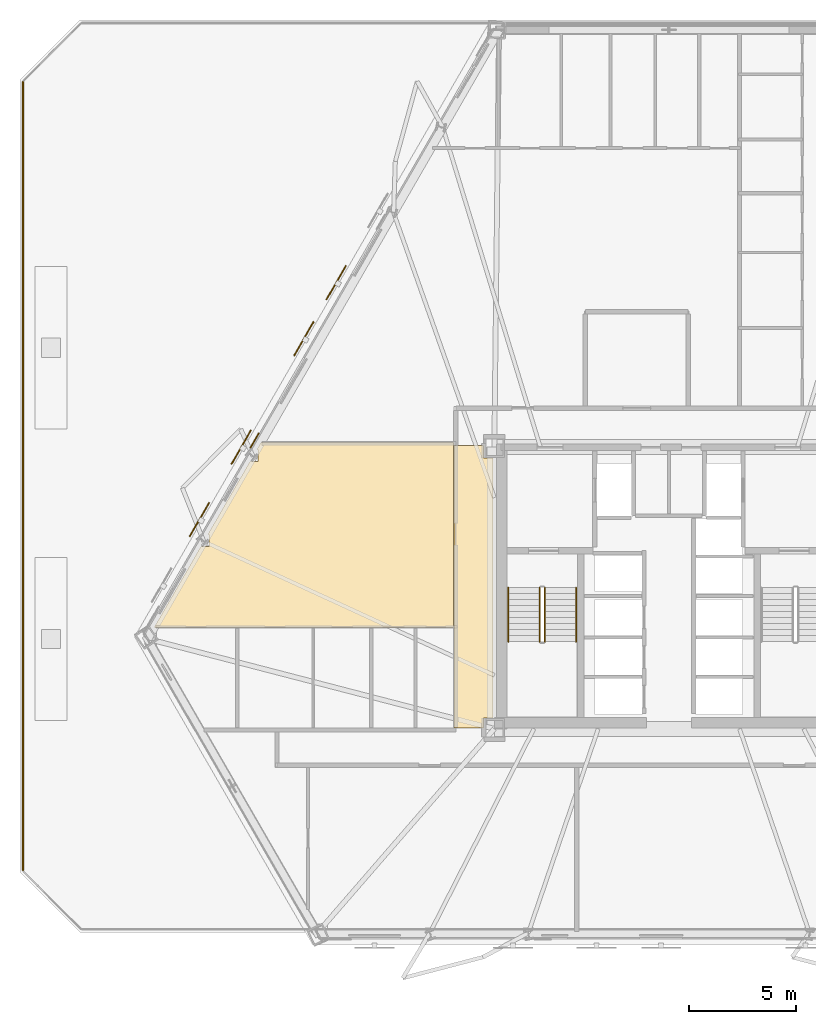
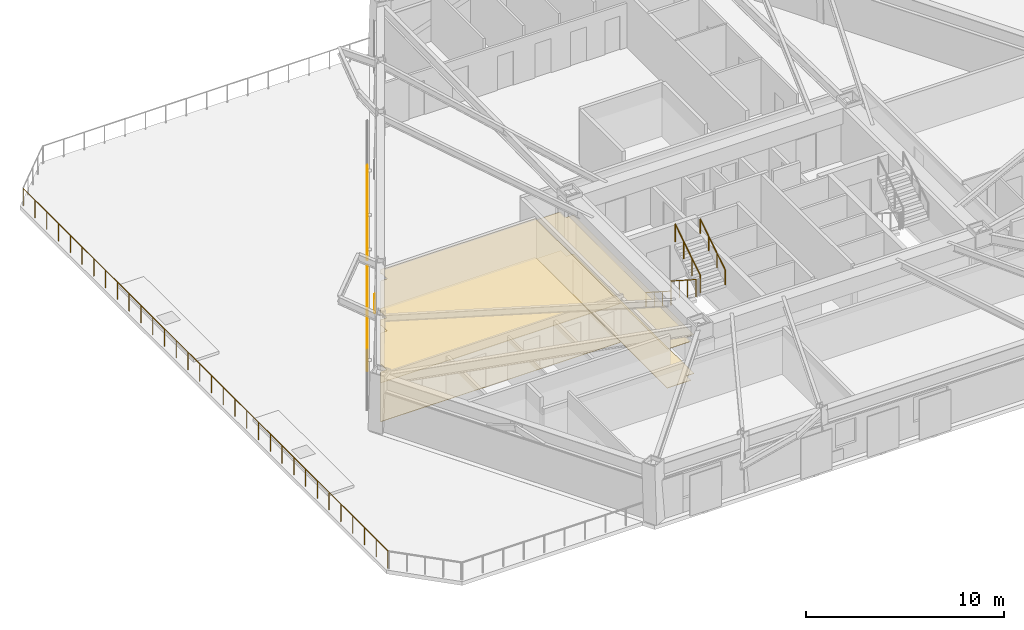
# One storey, part 9 of 14: 5 coverings, 5 railings, 4 shading devices.
"""IFC4 building model written with IfcOpenShell, lengths in metres."""

from ifc_helpers import new_model, si_unit, direction, frame, origin, origin_2d, place, context, subcontext, project, spatial, polyline, rectangle, circle, outline, extrude, material, layer, layer_set, type_object, element, save


model = new_model("IFC4")

# Units and contexts
model_context = context("Model", 3, precision=1e-05, world=origin(), true_north=direction((0.0, 1.0)))
body_context = subcontext(model_context, "Body", "Model", "MODEL_VIEW")
ifc_project = project(units=[si_unit("LENGTHUNIT", "METRE"), si_unit("AREAUNIT", "SQUARE_METRE"), si_unit("VOLUMEUNIT", "CUBIC_METRE"), si_unit("PLANEANGLEUNIT", "RADIAN"), si_unit("MASSUNIT", "GRAM", prefix="KILO")], contexts=[model_context])

# Site, building, storey
site_placement = place(None, origin())
site = spatial("IfcSite", under=ifc_project, at=site_placement, CompositionType="ELEMENT")
building_placement = place(site_placement, origin())
building = spatial("IfcBuilding", under=site, at=building_placement, Name="Oramaril Tower", CompositionType="ELEMENT")
storey_placement = place(building_placement, frame((0.0, 0.0, 27.300048828125)))
storey = spatial("IfcBuildingStorey", under=building, at=storey_placement, Name="L06", CompositionType="ELEMENT", Elevation=27.300048828125)

# Coverings
ifc_material_1 = material(Name="Mineral Fibre Acoustic Ceiling")
ifc_layer_1 = layer(ifc_material_1, 0.02001953125)
ifc_layer_set_1 = layer_set([ifc_layer_1], Name="CVT-CEIL")
covering_type_1 = type_object("IfcCoveringType", Name="CVT-CEIL", PredefinedType="CEILING", material=ifc_layer_set_1)
covering_1_placement = place(storey_placement, frame((0.0, 0.0, 2.39990234375)))
element("IfcCovering", 1, at=covering_1_placement, inside=storey, type_object=covering_type_1, Name="L06 Acoustic Suspended Ceiling 3", PredefinedType="CEILING", context=body_context, shape_type="SweptSolid", body=[
    extrude(outline(polyline([(28.85498046875, 23.655029296875), (29.280029296875, 23.655029296875), (29.280029296875, 11.4951171875), (28.85498046875, 11.4951171875), (28.85498046875, 11.050048828125), (27.469970703125, 11.050048828125), (27.469970703125, 24.219970703125), (28.85498046875, 24.219970703125), (28.85498046875, 23.655029296875)])), origin(), (0.0, 0.0, 1.0), 0.02001953125),
])
covering_2_placement = place(storey_placement, frame((0.0, 0.0, 2.39990234375)))
element("IfcCovering", 2, at=covering_2_placement, inside=storey, type_object=covering_type_1, Name="L06 Acoustic Suspended Ceiling 10", PredefinedType="CEILING", context=body_context, shape_type="SweptSolid", body=[
    extrude(outline(polyline([(13.45751953125, 15.72119140625), (15.64794921875, 19.514892578125), (16.01904296875, 19.514892578125), (16.01904296875, 20.0712890625), (15.968994140625, 20.0712890625), (17.945556640625, 23.494873046875), (18.31689453125, 23.494873046875), (18.31689453125, 24.0390625), (18.259765625, 24.0390625), (18.4462890625, 24.362060546875), (27.449951171875, 24.362060546875), (27.449951171875, 24.239990234375), (27.4501953125, 24.238037109375), (27.450439453125, 24.236083984375), (27.450927734375, 24.234130859375), (27.451416015625, 24.232421875), (27.452392578125, 24.230712890625), (27.45263671875, 24.22998046875), (27.452392578125, 24.2294921875), (27.451416015625, 24.227783203125), (27.450927734375, 24.225830078125), (27.450439453125, 24.223876953125), (27.4501953125, 24.221923828125), (27.449951171875, 24.219970703125), (27.449951171875, 15.72119140625), (13.45751953125, 15.72119140625)])), origin(), (0.0, 0.0, 1.0), 0.02001953125),
])
ifc_material_2 = material(Name="Warm Cream Limestone", Category="masonry")
ifc_layer_2 = layer(ifc_material_2, 0.050048828125)
ifc_layer_set_2 = layer_set([ifc_layer_2], Name="CVT-CLD")
covering_type_2 = type_object("IfcCoveringType", Name="CVT-CLD", PredefinedType="CLADDING", material=ifc_layer_set_2)
covering_3_placement = place(storey_placement, frame((18.158447265625, 24.46533203125, 0.0400390625), z_axis=(0.0, 0.0, 1.0), x_axis=(-0.5, -0.866025403784, 0.0)))
element("IfcCovering", 3, at=covering_3_placement, inside=storey, type_object=covering_type_2, Name="L06 Warm Cream Limestone Spandrel Cladding", PredefinedType="CLADDING", context=body_context, shape_type="SweptSolid", body=[
    extrude(rectangle(XDim=0.800048828125, YDim=0.050048828125, at=origin_2d()), origin(), (0.0, 0.0, 1.0), 0.679931640625),
])
ifc_material_3 = material(Name="Honed Quartzite Stone Flooring", Category="masonry")
ifc_layer_3 = layer(ifc_material_3, 0.02490234375)
ifc_layer_set_3 = layer_set([ifc_layer_3], Name="CVT-FLR")
covering_type_3 = type_object("IfcCoveringType", Name="CVT-FLR", PredefinedType="FLOORING", material=ifc_layer_set_3)
covering_4_placement = place(storey_placement, origin())
element("IfcCovering", 4, at=covering_4_placement, inside=storey, type_object=covering_type_3, Name="L06 Honed Stone Floor Finish 3", PredefinedType="FLOORING", context=body_context, shape_type="SweptSolid", body=[
    extrude(outline(polyline([(28.85498046875, 23.655029296875), (29.280029296875, 23.655029296875), (29.280029296875, 11.4951171875), (28.85498046875, 11.4951171875), (28.85498046875, 11.050048828125), (27.469970703125, 11.050048828125), (27.469970703125, 24.219970703125), (28.85498046875, 24.219970703125), (28.85498046875, 23.655029296875)])), origin(), (0.0, 0.0, 1.0), 0.02490234375),
])
covering_5_placement = place(storey_placement, origin())
element("IfcCovering", 5, at=covering_5_placement, inside=storey, type_object=covering_type_3, Name="L06 Honed Stone Floor Finish 10", PredefinedType="FLOORING", context=body_context, shape_type="SweptSolid", body=[
    extrude(outline(polyline([(13.45751953125, 15.72119140625), (15.64794921875, 19.514892578125), (16.01904296875, 19.514892578125), (16.01904296875, 20.0712890625), (15.968994140625, 20.0712890625), (17.945556640625, 23.494873046875), (18.31689453125, 23.494873046875), (18.31689453125, 24.0390625), (18.259765625, 24.0390625), (18.4462890625, 24.362060546875), (27.449951171875, 24.362060546875), (27.449951171875, 24.239990234375), (27.4501953125, 24.238037109375), (27.450439453125, 24.236083984375), (27.450927734375, 24.234130859375), (27.451416015625, 24.232421875), (27.452392578125, 24.230712890625), (27.45263671875, 24.22998046875), (27.452392578125, 24.2294921875), (27.451416015625, 24.227783203125), (27.450927734375, 24.225830078125), (27.450439453125, 24.223876953125), (27.4501953125, 24.221923828125), (27.449951171875, 24.219970703125), (27.449951171875, 15.72119140625), (13.45751953125, 15.72119140625)])), origin(), (0.0, 0.0, 1.0), 0.02490234375),
])

# Railings
ifc_material_4 = material(Name="Stainless Steel 316L", Category="steel")
railing_type_1 = type_object("IfcRailingType", Name="RLT-GRD", PredefinedType="GUARDRAIL", material=ifc_material_4)
railing_1_placement = place(storey_placement, frame((7.340087890625, 41.2119140625, 0.0)))
element("IfcRailing", 6, at=railing_1_placement, inside=storey, type_object=railing_type_1, Name="L06 Podium Terrace Guardrail 07", PredefinedType="GUARDRAIL", context=body_context, shape_type="SweptSolid", body=[
    extrude(circle(Radius=0.02392578125, at=origin_2d()), frame((0.0, 0.0, 1.076171875), z_axis=(0.0, -1.0, 0.0), x_axis=(1.0, 0.0, 0.0)), (0.0, 0.0, 1.0), 36.823974609375),
    extrude(circle(Radius=0.02099609375, at=origin_2d()), origin(), (0.0, 0.0, 1.0), 1.052001953125),
    extrude(circle(Radius=0.02099609375, at=origin_2d()), frame((0.0, -1.18798828125, 0.0)), (0.0, 0.0, 1.0), 1.052001953125),
    extrude(circle(Radius=0.02099609375, at=origin_2d()), frame((0.0, -2.375732421875, 0.0)), (0.0, 0.0, 1.0), 1.052001953125),
    extrude(circle(Radius=0.02099609375, at=origin_2d()), frame((0.0, -3.563720703125, 0.0)), (0.0, 0.0, 1.0), 1.052001953125),
    extrude(circle(Radius=0.02099609375, at=origin_2d()), frame((0.0, -4.75146484375, 0.0)), (0.0, 0.0, 1.0), 1.052001953125),
    extrude(circle(Radius=0.02099609375, at=origin_2d()), frame((0.0, -5.939453125, 0.0)), (0.0, 0.0, 1.0), 1.052001953125),
    extrude(circle(Radius=0.02099609375, at=origin_2d()), frame((0.0, -7.127197265625, 0.0)), (0.0, 0.0, 1.0), 1.052001953125),
    extrude(circle(Radius=0.02099609375, at=origin_2d()), frame((0.0, -8.315185546875, 0.0)), (0.0, 0.0, 1.0), 1.052001953125),
    extrude(circle(Radius=0.02099609375, at=origin_2d()), frame((0.0, -9.5029296875, 0.0)), (0.0, 0.0, 1.0), 1.052001953125),
    extrude(circle(Radius=0.02099609375, at=origin_2d()), frame((0.0, -10.69091796875, 0.0)), (0.0, 0.0, 1.0), 1.052001953125),
    extrude(circle(Radius=0.02099609375, at=origin_2d()), frame((0.0, -11.878662109375, 0.0)), (0.0, 0.0, 1.0), 1.052001953125),
    extrude(circle(Radius=0.02099609375, at=origin_2d()), frame((0.0, -13.066650390625, 0.0)), (0.0, 0.0, 1.0), 1.052001953125),
    extrude(circle(Radius=0.02099609375, at=origin_2d()), frame((0.0, -14.25439453125, 0.0)), (0.0, 0.0, 1.0), 1.052001953125),
    extrude(circle(Radius=0.02099609375, at=origin_2d()), frame((0.0, -15.4423828125, 0.0)), (0.0, 0.0, 1.0), 1.052001953125),
    extrude(circle(Radius=0.02099609375, at=origin_2d()), frame((0.0, -16.630126953125, 0.0)), (0.0, 0.0, 1.0), 1.052001953125),
    extrude(circle(Radius=0.02099609375, at=origin_2d()), frame((0.0, -17.818115234375, 0.0)), (0.0, 0.0, 1.0), 1.052001953125),
    extrude(circle(Radius=0.02099609375, at=origin_2d()), frame((0.0, -19.005859375, 0.0)), (0.0, 0.0, 1.0), 1.052001953125),
    extrude(circle(Radius=0.02099609375, at=origin_2d()), frame((0.0, -20.19384765625, 0.0)), (0.0, 0.0, 1.0), 1.052001953125),
    extrude(circle(Radius=0.02099609375, at=origin_2d()), frame((0.0, -21.381591796875, 0.0)), (0.0, 0.0, 1.0), 1.052001953125),
    extrude(circle(Radius=0.02099609375, at=origin_2d()), frame((0.0, -22.569580078125, 0.0)), (0.0, 0.0, 1.0), 1.052001953125),
    extrude(circle(Radius=0.02099609375, at=origin_2d()), frame((0.0, -23.75732421875, 0.0)), (0.0, 0.0, 1.0), 1.052001953125),
    extrude(circle(Radius=0.02099609375, at=origin_2d()), frame((0.0, -24.9453125, 0.0)), (0.0, 0.0, 1.0), 1.052001953125),
    extrude(circle(Radius=0.02099609375, at=origin_2d()), frame((0.0, -26.133056640625, 0.0)), (0.0, 0.0, 1.0), 1.052001953125),
    extrude(circle(Radius=0.02099609375, at=origin_2d()), frame((0.0, -27.321044921875, 0.0)), (0.0, 0.0, 1.0), 1.052001953125),
    extrude(circle(Radius=0.02099609375, at=origin_2d()), frame((0.0, -28.5087890625, 0.0)), (0.0, 0.0, 1.0), 1.052001953125),
    extrude(circle(Radius=0.02099609375, at=origin_2d()), frame((0.0, -29.69677734375, 0.0)), (0.0, 0.0, 1.0), 1.052001953125),
    extrude(circle(Radius=0.02099609375, at=origin_2d()), frame((0.0, -30.884521484375, 0.0)), (0.0, 0.0, 1.0), 1.052001953125),
    extrude(circle(Radius=0.02099609375, at=origin_2d()), frame((0.0, -32.072509765625, 0.0)), (0.0, 0.0, 1.0), 1.052001953125),
    extrude(circle(Radius=0.02099609375, at=origin_2d()), frame((0.0, -33.26025390625, 0.0)), (0.0, 0.0, 1.0), 1.052001953125),
    extrude(circle(Radius=0.02099609375, at=origin_2d()), frame((0.0, -34.4482421875, 0.0)), (0.0, 0.0, 1.0), 1.052001953125),
    extrude(circle(Radius=0.02099609375, at=origin_2d()), frame((0.0, -35.635986328125, 0.0)), (0.0, 0.0, 1.0), 1.052001953125),
    extrude(circle(Radius=0.02099609375, at=origin_2d()), frame((0.0, -36.823974609375, 0.0)), (0.0, 0.0, 1.0), 1.052001953125),
])
railing_2_placement = place(storey_placement, frame((31.4599609375, 17.590087890625, 0.179931640625)))
element("IfcRailing", 7, at=railing_2_placement, inside=storey, type_object=railing_type_1, Name="L06 ST-1 stair guard 1", PredefinedType="GUARDRAIL", context=body_context, shape_type="SweptSolid", body=[
    extrude(circle(Radius=0.02392578125, at=origin_2d()), frame((0.0, 0.0, 1.076171875), z_axis=(0.0, -0.841162588446, 0.540782303519), x_axis=(1.0, 0.0, 0.0)), (0.0, 0.0, 1.0), 2.995849609375),
    extrude(circle(Radius=0.02099609375, at=origin_2d()), origin(), (0.0, 0.0, 1.0), 1.052001953125),
    extrude(circle(Radius=0.02099609375, at=origin_2d()), frame((0.0, -0.840087890625, 0.5400390625)), (0.0, 0.0, 1.0), 1.052001953125),
    extrude(circle(Radius=0.02099609375, at=origin_2d()), frame((0.0, -1.679931640625, 1.080078125)), (0.0, 0.0, 1.0), 1.052001953125),
    extrude(circle(Radius=0.02099609375, at=origin_2d()), frame((0.0, -2.52001953125, 1.6201171875)), (0.0, 0.0, 1.0), 1.052001953125),
])
railing_3_placement = place(storey_placement, frame((31.7099609375, 15.070068359375, 1.97998046875)))
element("IfcRailing", 8, at=railing_3_placement, inside=storey, type_object=railing_type_1, Name="L06 ST-1 stair guard 3", PredefinedType="GUARDRAIL", context=body_context, shape_type="SweptSolid", body=[
    extrude(circle(Radius=0.02392578125, at=origin_2d()), frame((0.0, 0.0, 1.076171875), z_axis=(0.0, 0.841199657755, 0.540724639528), x_axis=(-1.0, 0.0, 0.0)), (0.0, 0.0, 1.0), 2.995849609375),
    extrude(circle(Radius=0.02099609375, at=origin_2d()), origin(), (0.0, 0.0, 1.0), 1.052001953125),
    extrude(circle(Radius=0.02099609375, at=origin_2d()), frame((0.0, 0.840087890625, 0.5400390625)), (0.0, 0.0, 1.0), 1.052001953125),
    extrude(circle(Radius=0.02099609375, at=origin_2d()), frame((0.0, 1.679931640625, 1.079833984375)), (0.0, 0.0, 1.0), 1.052001953125),
    extrude(circle(Radius=0.02099609375, at=origin_2d()), frame((0.0, 2.52001953125, 1.619873046875)), (0.0, 0.0, 1.0), 1.052001953125),
])
ifc_material_5 = material(Name="Stainless Steel 316L", Category="steel")
railing_type_2 = type_object("IfcRailingType", Name="RLT-HND", PredefinedType="HANDRAIL", material=ifc_material_5)
railing_4_placement = place(storey_placement, frame((30.0, 17.590087890625, 0.179931640625)))
element("IfcRailing", 9, at=railing_4_placement, inside=storey, type_object=railing_type_2, Name="L06 ST-1 stair handrail 1", PredefinedType="HANDRAIL", context=body_context, shape_type="SweptSolid", body=[
    extrude(circle(Radius=0.02392578125, at=origin_2d()), frame((0.0, 0.0, 0.8759765625), z_axis=(0.0, -0.841162588446, 0.540782303519), x_axis=(1.0, 0.0, 0.0)), (0.0, 0.0, 1.0), 2.995849609375),
    extrude(circle(Radius=0.02099609375, at=origin_2d()), origin(), (0.0, 0.0, 1.0), 0.851806640625),
    extrude(circle(Radius=0.02099609375, at=origin_2d()), frame((0.0, -0.840087890625, 0.5400390625)), (0.0, 0.0, 1.0), 0.851806640625),
    extrude(circle(Radius=0.02099609375, at=origin_2d()), frame((0.0, -1.679931640625, 1.080078125)), (0.0, 0.0, 1.0), 0.851806640625),
    extrude(circle(Radius=0.02099609375, at=origin_2d()), frame((0.0, -2.52001953125, 1.6201171875)), (0.0, 0.0, 1.0), 0.851806640625),
])
railing_5_placement = place(storey_placement, frame((33.169921875, 15.070068359375, 1.97998046875)))
element("IfcRailing", 10, at=railing_5_placement, inside=storey, type_object=railing_type_2, Name="L06 ST-1 stair handrail 2", PredefinedType="HANDRAIL", context=body_context, shape_type="SweptSolid", body=[
    extrude(circle(Radius=0.02392578125, at=origin_2d()), frame((0.0, 0.0, 0.8759765625), z_axis=(0.0, 0.841199657755, 0.540724639528), x_axis=(-1.0, 0.0, 0.0)), (0.0, 0.0, 1.0), 2.995849609375),
    extrude(circle(Radius=0.02099609375, at=origin_2d()), origin(), (0.0, 0.0, 1.0), 0.851806640625),
    extrude(circle(Radius=0.02099609375, at=origin_2d()), frame((0.0, 0.840087890625, 0.5400390625)), (0.0, 0.0, 1.0), 0.851806640625),
    extrude(circle(Radius=0.02099609375, at=origin_2d()), frame((0.0, 1.679931640625, 1.079833984375)), (0.0, 0.0, 1.0), 0.851806640625),
    extrude(circle(Radius=0.02099609375, at=origin_2d()), frame((0.0, 2.52001953125, 1.619873046875)), (0.0, 0.0, 1.0), 0.851806640625),
])

# Shading devices
for number, where, z_axis, x_axis, name in (
    (11, (17.52978515625, 24.150390625, -0.02001953125), (0.0, 0.0, 1.0), (-0.5, -0.866025403784, 0.0), "L06 Perforated Ceramic Solar Screen"),
    (12, (15.57958984375, 20.772705078125, -0.02001953125), (0.0, 0.0, 1.0), (-0.5, -0.866025403784, 0.0), "L06 Perforated Ceramic Solar Screen"),
    (13, (21.96630859375, 31.8349609375, -0.02001953125), (0.0, 0.0, 1.0), (-0.5, -0.866025403784, 0.0), "L06 Perforated Ceramic Solar Screen"),
    (14, (20.4541015625, 29.21533203125, -0.02001953125), (0.0, 0.0, 1.0), (-0.5, -0.866025403784, 0.0), "L06 Perforated Ceramic Solar Screen"),
):
    element("IfcShadingDevice", number, at=place(storey_placement, frame(where, z_axis=z_axis, x_axis=x_axis)), inside=storey, Name=name, ObjectType="SCREEN", PredefinedType="USERDEFINED", context=body_context, shape_type="SweptSolid", body=[
        extrude(rectangle(XDim=1.8330078125, YDim=0.050048828125, at=origin_2d()), origin(), (0.0, 0.0, 1.0), 2.493896484375),
    ])

save(model, "model.ifc")
